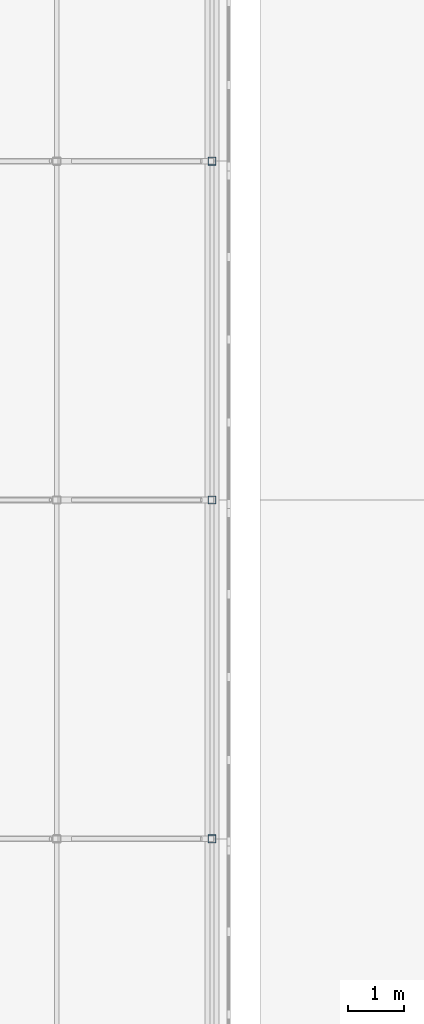
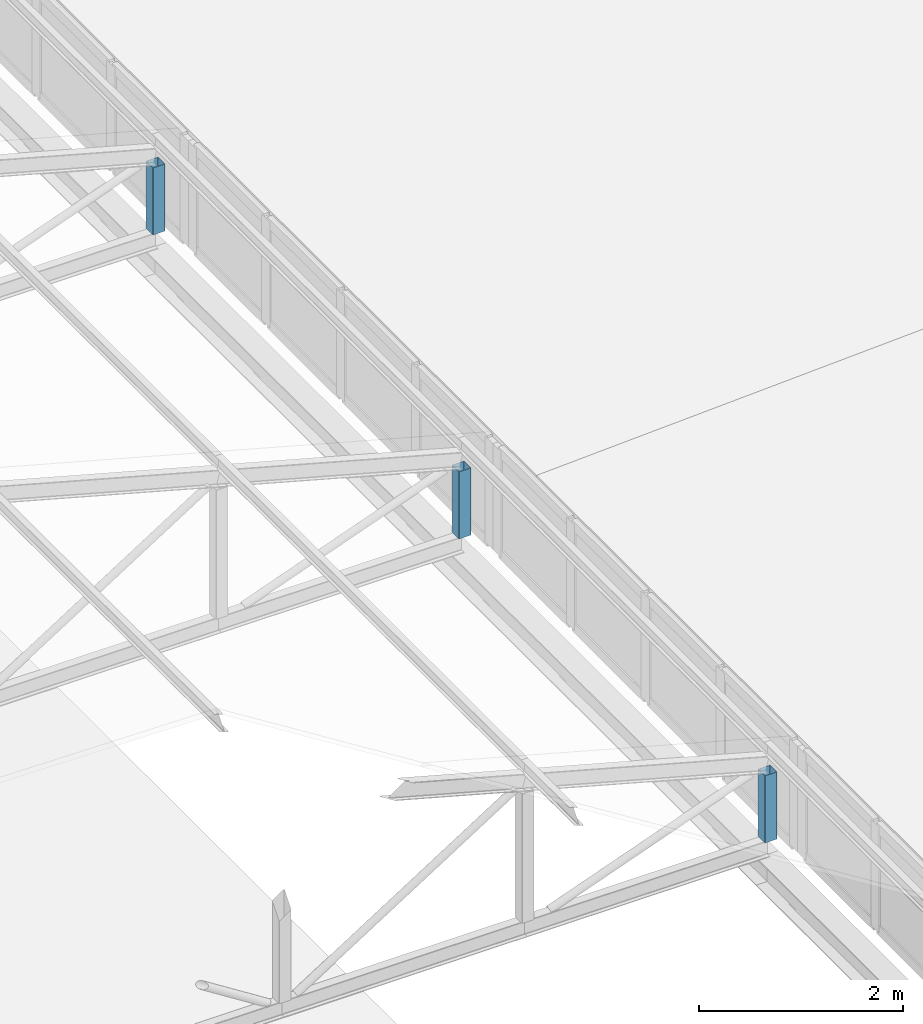
# One storey, part 73 of 94: 3 members.
"""IFC4 building model written with IfcOpenShell, lengths in metres."""

from ifc_helpers import new_model, si_unit, direction, frame, origin, origin_2d, place, context, subcontext, project, spatial, hollow_rectangle, extrude, material, material_profile, profile_set, type_object, element, save


model = new_model("IFC4")

# Units and contexts
model_context = context("Model", 3, precision=1e-05, world=origin(), true_north=direction((0.0, 1.0)))
body_context = subcontext(model_context, "Body", "Model", "MODEL_VIEW")
ifc_project = project(units=[si_unit("LENGTHUNIT", "METRE"), si_unit("AREAUNIT", "SQUARE_METRE"), si_unit("VOLUMEUNIT", "CUBIC_METRE"), si_unit("PLANEANGLEUNIT", "RADIAN"), si_unit("MASSUNIT", "GRAM", prefix="KILO")], contexts=[model_context])

# Site, building, storey
site_placement = place(None, origin())
site = spatial("IfcSite", under=ifc_project, at=site_placement, CompositionType="ELEMENT")
building_placement = place(site_placement, origin())
building = spatial("IfcBuilding", under=site, at=building_placement, Name="Lilac Gate Convention Centre", CompositionType="ELEMENT")
storey_placement = place(building_placement, frame((0.0, 0.0, 21.0)))
storey = spatial("IfcBuildingStorey", under=building, at=storey_placement, Name="L04", CompositionType="ELEMENT", Elevation=21.0)

# Members
ifc_material = material(Name="Steel Q355B", Category="steel")
ifc_material_profile = material_profile(ifc_material, hollow_rectangle(XDim=0.139892578125, YDim=0.139892578125, WallThickness=0.0048828125, InnerFilletRadius=0.0048828125, OuterFilletRadius=0.010009765625, at=origin_2d()), Name="SHS140x140x5")
ifc_profile_set = profile_set([ifc_material_profile], Name="Steel Q355B")
member_type = type_object("IfcMemberType", Name="Lantern post SHS140x140x5", PredefinedType="STRUT", material=ifc_profile_set)
for number, where, z_axis, x_axis, name in (
    (1, (28.60009765625, 156.0, 0.199951171875), (0.0, 0.0, 1.0), (1.0, 0.0, 0.0), "LV1 lantern truss 22 post 5"),
    (2, (28.60009765625, 162.0, 0.199951171875), (0.0, 0.0, 1.0), (1.0, 0.0, 0.0), "LV1 lantern truss 23 post 5"),
    (3, (28.60009765625, 168.0, 0.199951171875), (0.0, 0.0, 1.0), (1.0, 0.0, 0.0), "LV1 lantern truss 24 post 5"),
):
    element("IfcMember", number, at=place(storey_placement, frame(where, z_axis=z_axis, x_axis=x_axis)), inside=storey, type_object=member_type, Name=name, PredefinedType="STRUT", context=body_context, shape_type="SweptSolid", body=[
        extrude(hollow_rectangle(XDim=0.139892578125, YDim=0.139892578125, WallThickness=0.0048828125, InnerFilletRadius=0.0048828125, OuterFilletRadius=0.010009765625, at=origin_2d()), origin(), (0.0, 0.0, 1.0), 0.802001953125),
    ])

save(model, "model.ifc")
